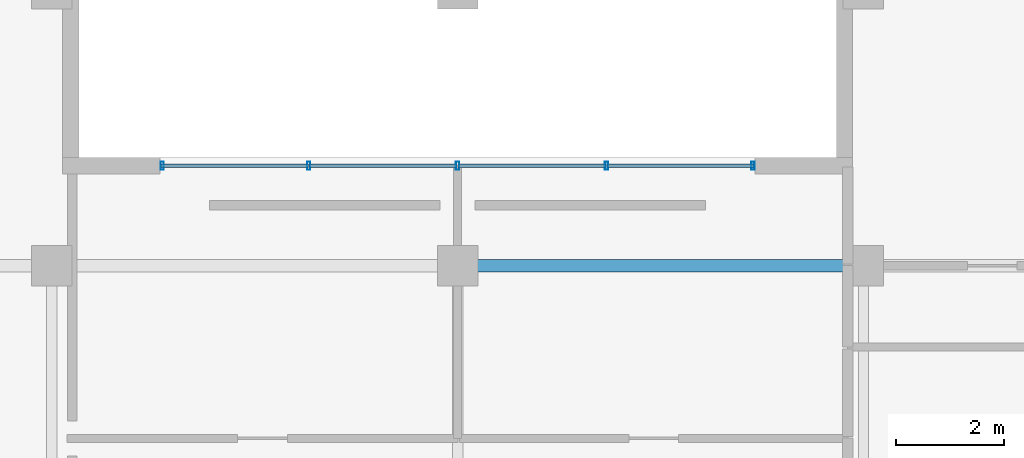
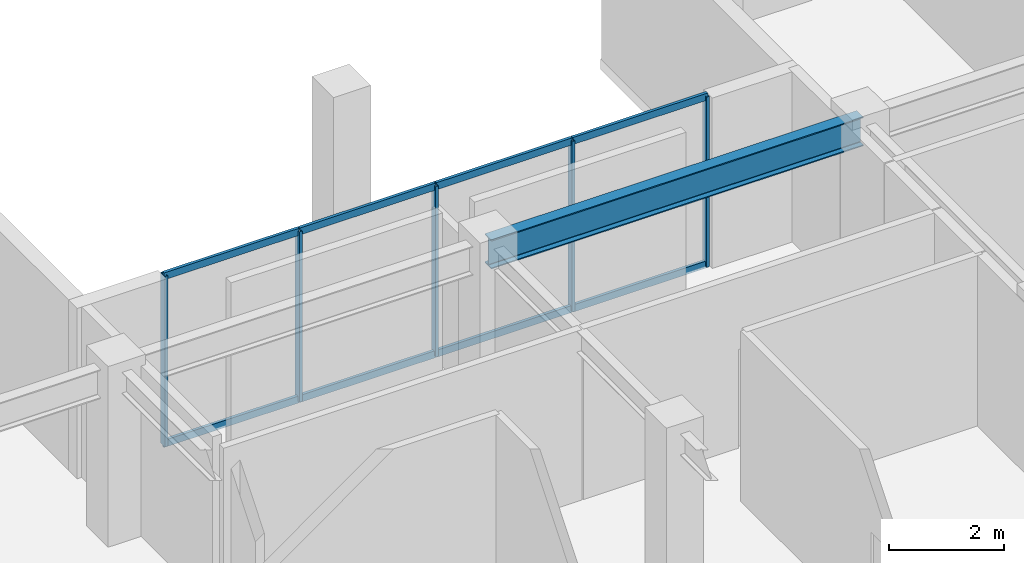
# One storey, part 2 of 9: 13 members, 1 beam, 1 element without a shape of its own.
"""IFC4 building model written with IfcOpenShell, lengths in metres."""

from ifc_helpers import new_model, si_unit, direction, frame, origin, origin_2d, place, context, subcontext, project, spatial, hollow_rectangle, i_section, extrude, material, material_profile, profile_set, type_object, element, aggregate, save


model = new_model("IFC4")

# Units and contexts
model_context = context("Model", 3, precision=1e-05, world=origin(), true_north=direction((0.0, 1.0)))
body_context = subcontext(model_context, "Body", "Model", "MODEL_VIEW")
ifc_project = project(units=[si_unit("LENGTHUNIT", "METRE"), si_unit("AREAUNIT", "SQUARE_METRE"), si_unit("VOLUMEUNIT", "CUBIC_METRE"), si_unit("PLANEANGLEUNIT", "RADIAN"), si_unit("MASSUNIT", "GRAM", prefix="KILO")], contexts=[model_context])

# Site, building, storey
site_placement = place(None, origin())
site = spatial("IfcSite", under=ifc_project, at=site_placement, CompositionType="ELEMENT")
building_placement = place(site_placement, origin())
building = spatial("IfcBuilding", under=site, at=building_placement, Name="Ventersveld Concourse Tower", CompositionType="ELEMENT")
storey_placement = place(building_placement, frame((0.0, 0.0, 145.199951171875)))
storey = spatial("IfcBuildingStorey", under=building, at=storey_placement, Name="L35", CompositionType="ELEMENT", Elevation=145.199951171875)

# Curtain wall, members
ifc_material_1 = material(Name="Anodised aluminium EN AW-6063-T6", Category="aluminium")
curtain_wall_type = type_object("IfcCurtainWallType", Name="CW-SG-4", PredefinedType="NOTDEFINED", material=ifc_material_1)
curtain_wall_placement = place(storey_placement, origin())
curtain_wall = element("IfcCurtainWall", 1, at=curtain_wall_placement, inside=storey, type_object=curtain_wall_type, Name="L35 L35 Sky Garden Recessed Curtain Wall", PredefinedType="NOTDEFINED")
ifc_material_profile_1 = material_profile(ifc_material_1, hollow_rectangle(XDim=0.06005859375, YDim=0.14990234375, WallThickness=0.00390625, at=origin_2d()), Name="ALU 150x60x4")
ifc_profile_set_1 = profile_set([ifc_material_profile_1], Name="Anodised aluminium EN AW-6063-T6")
member_type_1 = type_object("IfcMemberType", Name="CWM-150x65", PredefinedType="MULLION", material=ifc_profile_set_1)
member_1_placement = place(storey_placement, frame((23.2900390625, 36.85009765625, 0.0), z_axis=(0.0, 0.0, 1.0), x_axis=(1.0, 0.0, 0.0)))
member_1 = element("IfcMember", 2, at=member_1_placement, type_object=member_type_1, Name="CW-L35-SG Mullion 01", PredefinedType="MULLION", context=body_context, shape_type="SweptSolid", body=[
    extrude(hollow_rectangle(XDim=0.06005859375, YDim=0.14990234375, WallThickness=0.00390625, at=origin_2d()), origin(), (0.0, 0.0, 1.0), 3.630126953125),
])
member_2_placement = place(storey_placement, frame((26.0, 36.85009765625, 0.0), z_axis=(0.0, 0.0, 1.0), x_axis=(1.0, 0.0, 0.0)))
member_2 = element("IfcMember", 3, at=member_2_placement, type_object=member_type_1, Name="CW-L35-SG Mullion 02", PredefinedType="MULLION", context=body_context, shape_type="SweptSolid", body=[
    extrude(hollow_rectangle(XDim=0.06005859375, YDim=0.14990234375, WallThickness=0.00390625, at=origin_2d()), origin(), (0.0, 0.0, 1.0), 3.630126953125),
])
member_3_placement = place(storey_placement, frame((28.75, 36.85009765625, 0.0), z_axis=(0.0, 0.0, 1.0), x_axis=(1.0, 0.0, 0.0)))
member_3 = element("IfcMember", 4, at=member_3_placement, type_object=member_type_1, Name="CW-L35-SG Mullion 03", PredefinedType="MULLION", context=body_context, shape_type="SweptSolid", body=[
    extrude(hollow_rectangle(XDim=0.06005859375, YDim=0.14990234375, WallThickness=0.00390625, at=origin_2d()), origin(), (0.0, 0.0, 1.0), 3.630126953125),
])
member_4_placement = place(storey_placement, frame((31.5, 36.85009765625, 0.0), z_axis=(0.0, 0.0, 1.0), x_axis=(1.0, 0.0, 0.0)))
member_4 = element("IfcMember", 5, at=member_4_placement, type_object=member_type_1, Name="CW-L35-SG Mullion 04", PredefinedType="MULLION", context=body_context, shape_type="SweptSolid", body=[
    extrude(hollow_rectangle(XDim=0.06005859375, YDim=0.14990234375, WallThickness=0.00390625, at=origin_2d()), origin(), (0.0, 0.0, 1.0), 3.630126953125),
])
member_5_placement = place(storey_placement, frame((34.2099609375, 36.85009765625, 0.0), z_axis=(0.0, 0.0, 1.0), x_axis=(1.0, 0.0, 0.0)))
member_5 = element("IfcMember", 6, at=member_5_placement, type_object=member_type_1, Name="CW-L35-SG Mullion 05", PredefinedType="MULLION", context=body_context, shape_type="SweptSolid", body=[
    extrude(hollow_rectangle(XDim=0.06005859375, YDim=0.14990234375, WallThickness=0.00390625, at=origin_2d()), origin(), (0.0, 0.0, 1.0), 3.630126953125),
])
ifc_material_profile_2 = material_profile(ifc_material_1, hollow_rectangle(XDim=0.06005859375, YDim=0.14990234375, WallThickness=0.00390625, at=origin_2d()), Name="ALU 150x60x4")
ifc_profile_set_2 = profile_set([ifc_material_profile_2], Name="Anodised aluminium EN AW-6063-T6")
member_type_2 = type_object("IfcMemberType", Name="CWT-150x60", PredefinedType="USERDEFINED", material=ifc_profile_set_2)
member_6_placement = place(storey_placement, frame((23.27001953125, 36.85009765625, 0.030029296875), z_axis=(1.0, 0.0, 0.0), x_axis=(0.0, 1.0, 0.0)))
member_6 = element("IfcMember", 7, at=member_6_placement, type_object=member_type_2, Name="CW-L35-SG Transom 1-01", ObjectType="TRANSOM", PredefinedType="USERDEFINED", context=body_context, shape_type="SweptSolid", body=[
    extrude(hollow_rectangle(XDim=0.06005859375, YDim=0.14990234375, WallThickness=0.00390625, at=origin_2d()), origin(), (0.0, 0.0, 1.0), 2.719970703125),
])
member_7_placement = place(storey_placement, frame((26.010009765625, 36.85009765625, 0.030029296875), z_axis=(1.0, 0.0, 0.0), x_axis=(0.0, 1.0, 0.0)))
member_7 = element("IfcMember", 8, at=member_7_placement, type_object=member_type_2, Name="CW-L35-SG Transom 1-02", ObjectType="TRANSOM", PredefinedType="USERDEFINED", context=body_context, shape_type="SweptSolid", body=[
    extrude(hollow_rectangle(XDim=0.06005859375, YDim=0.14990234375, WallThickness=0.00390625, at=origin_2d()), origin(), (0.0, 0.0, 1.0), 2.72998046875),
])
member_8_placement = place(storey_placement, frame((28.760009765625, 36.85009765625, 0.030029296875), z_axis=(1.0, 0.0, 0.0), x_axis=(0.0, 1.0, 0.0)))
member_8 = element("IfcMember", 9, at=member_8_placement, type_object=member_type_2, Name="CW-L35-SG Transom 1-03", ObjectType="TRANSOM", PredefinedType="USERDEFINED", context=body_context, shape_type="SweptSolid", body=[
    extrude(hollow_rectangle(XDim=0.06005859375, YDim=0.14990234375, WallThickness=0.00390625, at=origin_2d()), origin(), (0.0, 0.0, 1.0), 2.72998046875),
])
member_9_placement = place(storey_placement, frame((31.510009765625, 36.85009765625, 0.030029296875), z_axis=(1.0, 0.0, 0.0), x_axis=(0.0, 1.0, 0.0)))
member_9 = element("IfcMember", 10, at=member_9_placement, type_object=member_type_2, Name="CW-L35-SG Transom 1-04", ObjectType="TRANSOM", PredefinedType="USERDEFINED", context=body_context, shape_type="SweptSolid", body=[
    extrude(hollow_rectangle(XDim=0.06005859375, YDim=0.14990234375, WallThickness=0.00390625, at=origin_2d()), origin(), (0.0, 0.0, 1.0), 2.719970703125),
])
member_10_placement = place(storey_placement, frame((23.27001953125, 36.85009765625, 3.60009765625), z_axis=(1.0, 0.0, 0.0), x_axis=(0.0, 1.0, 0.0)))
member_10 = element("IfcMember", 11, at=member_10_placement, type_object=member_type_2, Name="CW-L35-SG Transom 2-01", ObjectType="TRANSOM", PredefinedType="USERDEFINED", context=body_context, shape_type="SweptSolid", body=[
    extrude(hollow_rectangle(XDim=0.06005859375, YDim=0.14990234375, WallThickness=0.00390625, at=origin_2d()), origin(), (0.0, 0.0, 1.0), 2.719970703125),
])
member_11_placement = place(storey_placement, frame((26.010009765625, 36.85009765625, 3.60009765625), z_axis=(1.0, 0.0, 0.0), x_axis=(0.0, 1.0, 0.0)))
member_11 = element("IfcMember", 12, at=member_11_placement, type_object=member_type_2, Name="CW-L35-SG Transom 2-02", ObjectType="TRANSOM", PredefinedType="USERDEFINED", context=body_context, shape_type="SweptSolid", body=[
    extrude(hollow_rectangle(XDim=0.06005859375, YDim=0.14990234375, WallThickness=0.00390625, at=origin_2d()), origin(), (0.0, 0.0, 1.0), 2.72998046875),
])
member_12_placement = place(storey_placement, frame((28.760009765625, 36.85009765625, 3.60009765625), z_axis=(1.0, 0.0, 0.0), x_axis=(0.0, 1.0, 0.0)))
member_12 = element("IfcMember", 13, at=member_12_placement, type_object=member_type_2, Name="CW-L35-SG Transom 2-03", ObjectType="TRANSOM", PredefinedType="USERDEFINED", context=body_context, shape_type="SweptSolid", body=[
    extrude(hollow_rectangle(XDim=0.06005859375, YDim=0.14990234375, WallThickness=0.00390625, at=origin_2d()), origin(), (0.0, 0.0, 1.0), 2.72998046875),
])
member_13_placement = place(storey_placement, frame((31.510009765625, 36.85009765625, 3.60009765625), z_axis=(1.0, 0.0, 0.0), x_axis=(0.0, 1.0, 0.0)))
member_13 = element("IfcMember", 14, at=member_13_placement, type_object=member_type_2, Name="CW-L35-SG Transom 2-04", ObjectType="TRANSOM", PredefinedType="USERDEFINED", context=body_context, shape_type="SweptSolid", body=[
    extrude(hollow_rectangle(XDim=0.06005859375, YDim=0.14990234375, WallThickness=0.00390625, at=origin_2d()), origin(), (0.0, 0.0, 1.0), 2.719970703125),
])
aggregate(curtain_wall, [member_1, member_2, member_3, member_4, member_5, member_6, member_7, member_8, member_9, member_10, member_11, member_12, member_13])

# Beam
ifc_material_2 = material(Name="Structural steel S355J2", Category="steel")
ifc_material_profile_3 = material_profile(ifc_material_2, i_section(OverallWidth=0.230224609375, OverallDepth=0.6171875, WebThickness=0.01318359375, FlangeThickness=0.022216796875, FilletRadius=0.0126953125, at=origin_2d()), Name="UB 610x229x140")
ifc_profile_set_3 = profile_set([ifc_material_profile_3], Name="Structural steel S355J2")
beam_type = type_object("IfcBeamType", Name="GRD-UB610", PredefinedType="USERDEFINED", material=ifc_profile_set_3)
beam_placement = place(storey_placement, frame((28.75, 35.0, 3.321533203125), z_axis=(1.0, 0.0, 0.0), x_axis=(0.0, 1.0, 0.0)))
element("IfcBeam", 15, at=beam_placement, inside=storey, type_object=beam_type, Name="L35 E-W Grid Girder Y=35.00 #4", ObjectType="GIRDER", PredefinedType="USERDEFINED", context=body_context, shape_type="SweptSolid", body=[
    extrude(i_section(OverallWidth=0.230224609375, OverallDepth=0.6171875, WebThickness=0.01318359375, FlangeThickness=0.022216796875, FilletRadius=0.0126953125, at=origin_2d()), origin(), (0.0, 0.0, 1.0), 7.5),
])

save(model, "model.ifc")
